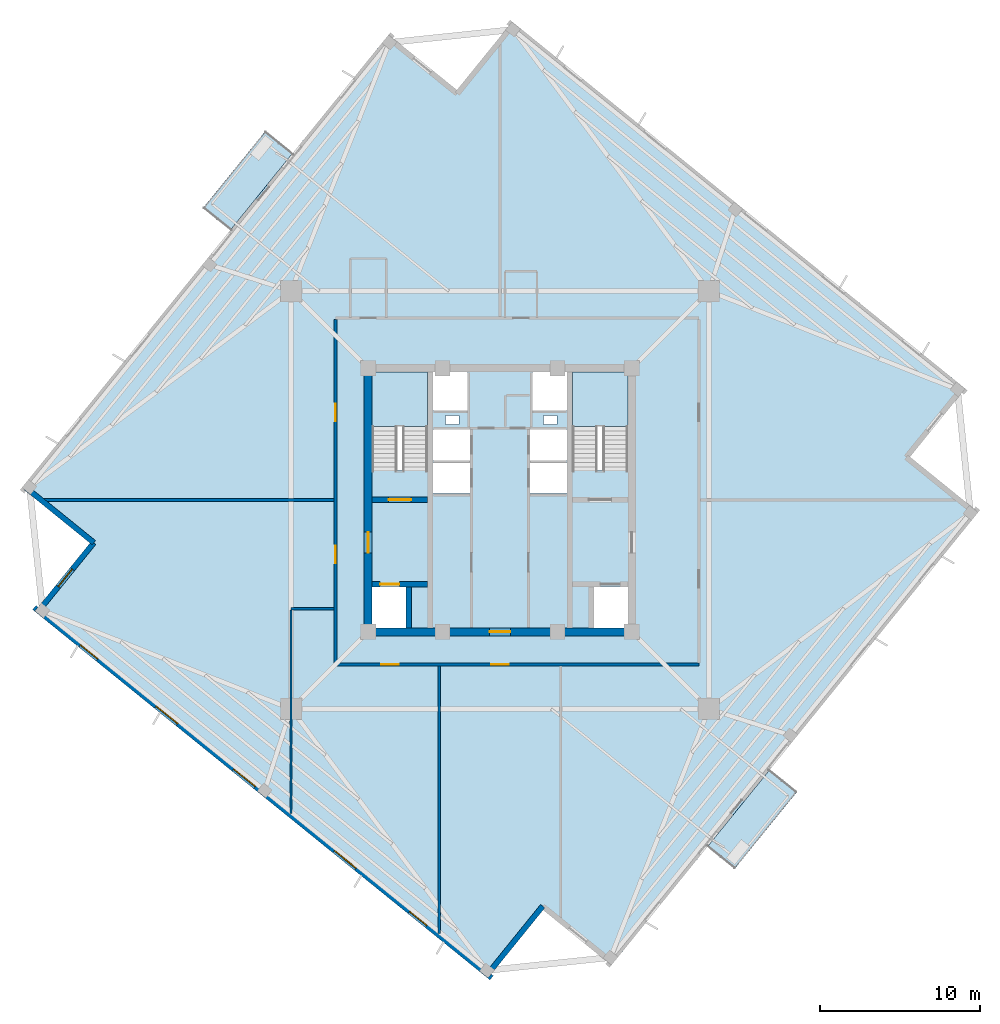
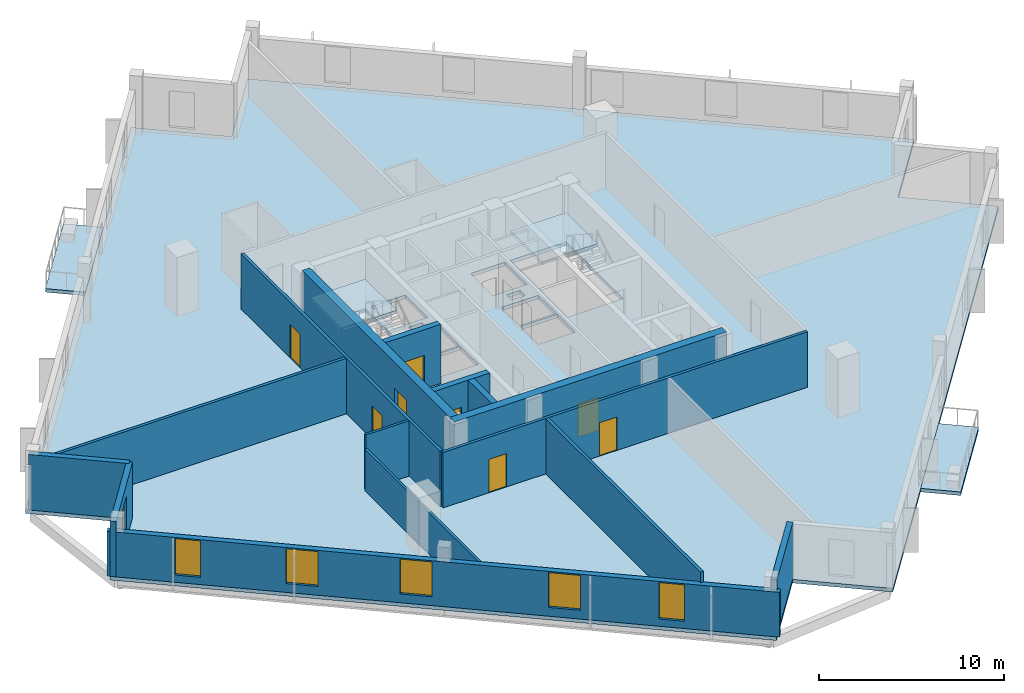
# One storey, part 2 of 9: 15 walls, 8 doors, 6 windows, 5 slabs, 14 openings, 2 elements without a shape of their own.
"""IFC4 building model written with IfcOpenShell, lengths in metres."""

from ifc_helpers import new_model, si_unit, direction, frame, frame_2d, origin, place, context, subcontext, project, spatial, polyline, rectangle, outline, extrude, source, transform, mapped, material, layer, layer_set, type_object, element, fill, aggregate, save


model = new_model("IFC4")

# Units and contexts
model_context = context("Model", 3, precision=1e-05, world=origin(), true_north=direction((0.0, 1.0)))
body_context = subcontext(model_context, "Body", "Model", "MODEL_VIEW")
ifc_project = project(units=[si_unit("LENGTHUNIT", "METRE"), si_unit("AREAUNIT", "SQUARE_METRE"), si_unit("VOLUMEUNIT", "CUBIC_METRE"), si_unit("PLANEANGLEUNIT", "RADIAN"), si_unit("MASSUNIT", "GRAM", prefix="KILO"), si_unit("THERMODYNAMICTEMPERATUREUNIT", "KELVIN")], contexts=[model_context])

# Site, building, storey
site_placement = place(None, origin())
site = spatial("IfcSite", under=ifc_project, at=site_placement, CompositionType="ELEMENT")
building_placement = place(site_placement, origin())
building = spatial("IfcBuilding", under=site, at=building_placement, Name="Kosmvard Interchange Tower", CompositionType="ELEMENT")
storey_placement = place(building_placement, frame((0.0, 0.0, 248.5)))
storey = spatial("IfcBuildingStorey", under=building, at=storey_placement, Name="L60", CompositionType="ELEMENT", Elevation=248.5)

# Slab
ifc_material_1 = material(Name="Concrete C50/60", Category="concrete")
ifc_layer_1 = layer(ifc_material_1, 0.239990234375, Name="Concrete C50/60")
ifc_layer_set_1 = layer_set([ifc_layer_1], Name="Concrete C50/60")
slab_type_1 = type_object("IfcSlabType", Name="High-Rise Suite Composite Slab 240 C50/60", PredefinedType="FLOOR", material=ifc_layer_set_1)
slab_1_placement = place(storey_placement, frame((0.0, 0.0, -0.239990234375)))
element("IfcSlab", 1, at=slab_1_placement, inside=storey, type_object=slab_type_1, Name="L60 Structural Floor Slab", PredefinedType="FLOOR", context=body_context, shape_type="SweptSolid", body=[
    extrude(outline(polyline([(6.97216796875, -29.12939453125), (29.9423828125, -0.763427734375), (25.66796875, 2.69775390625), (29.12939453125, 6.97216796875), (0.763427734375, 29.9423828125), (-2.69775390625, 25.66796875), (-6.97216796875, 29.12939453125), (-29.9423828125, 0.763427734375), (-25.66796875, -2.69775390625), (-29.12939453125, -6.97216796875), (-0.763427734375, -29.9423828125), (2.69775390625, -25.66796875), (6.97216796875, -29.12939453125)]), holes=[polyline([(-8.0, 1.8349609375), (-4.5400390625, 1.8349609375), (-4.5400390625, 8.0), (-8.0, 8.0), (-8.0, 1.8349609375)]), polyline([(4.5400390625, 1.8349609375), (8.0, 1.8349609375), (8.0, 8.0), (4.5400390625, 8.0), (4.5400390625, 1.8349609375)]), polyline([(-8.0, -8.0), (-5.800048828125, -8.0), (-5.800048828125, -5.39990234375), (-8.0, -5.39990234375), (-8.0, -8.0)]), polyline([(5.800048828125, -8.0), (8.0, -8.0), (8.0, -5.39990234375), (5.800048828125, -5.39990234375), (5.800048828125, -8.0)]), polyline([(-4.179931640625, 0.39990234375), (-1.8798828125, 0.39990234375), (-1.8798828125, 2.340087890625), (-4.179931640625, 2.340087890625), (-4.179931640625, 0.39990234375)]), polyline([(-4.179931640625, 2.4599609375), (-1.8798828125, 2.4599609375), (-1.8798828125, 4.39990234375), (-4.179931640625, 4.39990234375), (-4.179931640625, 2.4599609375)]), polyline([(1.8798828125, 0.39990234375), (4.179931640625, 0.39990234375), (4.179931640625, 2.340087890625), (1.8798828125, 2.340087890625), (1.8798828125, 0.39990234375)]), polyline([(1.8798828125, 2.4599609375), (4.179931640625, 2.4599609375), (4.179931640625, 4.39990234375), (1.8798828125, 4.39990234375), (1.8798828125, 2.4599609375)]), polyline([(-4.179931640625, 5.60009765625), (-2.0400390625, 5.60009765625), (-2.0400390625, 8.0), (-4.179931640625, 8.0), (-4.179931640625, 5.60009765625)]), polyline([(2.0400390625, 5.60009765625), (4.179931640625, 5.60009765625), (4.179931640625, 8.0), (2.0400390625, 8.0), (2.0400390625, 5.60009765625)]), polyline([(-3.4150390625, 4.739990234375), (-2.56494140625, 4.739990234375), (-2.56494140625, 5.2900390625), (-3.4150390625, 5.2900390625), (-3.4150390625, 4.739990234375)]), polyline([(2.715087890625, 4.739990234375), (3.56494140625, 4.739990234375), (3.56494140625, 5.2900390625), (2.715087890625, 5.2900390625), (2.715087890625, 4.739990234375)])]), origin(), (0.0, 0.0, 1.0), 0.239990234375),
])

# Stair, slab
stair_type = type_object("IfcStairType", Name="Dog-Leg Core Exit Stair H3900 C50/60", PredefinedType="HALF_TURN_STAIR", material=ifc_material_1)
stair_1_placement = place(storey_placement, origin())
stair_1 = element("IfcStair", 2, at=stair_1_placement, inside=storey, type_object=stair_type, Name="L60 Protected Exit Stair ST-1", PredefinedType="HALF_TURN_STAIR")
ifc_layer_2 = layer(ifc_material_1, 0.199951171875, Name="Concrete C50/60")
ifc_layer_set_2 = layer_set([ifc_layer_2], Name="Concrete C50/60")
slab_type_2 = type_object("IfcSlabType", Name="Stair Half-Landing Slab 200 C50/60", PredefinedType="LANDING", material=ifc_layer_set_2)
slab_2_placement = place(storey_placement, frame((0.0, 0.0, 1.75)))
slab_2 = element("IfcSlab", 3, at=slab_2_placement, type_object=slab_type_2, Name="ST-1 landing 1", PredefinedType="LANDING", context=body_context, shape_type="SweptSolid", body=[
    extrude(outline(polyline([(-4.5400390625, 4.60009765625), (-4.5400390625, 8.0), (-8.0, 8.0), (-8.0, 4.60009765625), (-4.5400390625, 4.60009765625)])), origin(), (0.0, 0.0, 1.0), 0.199951171875),
])
aggregate(stair_1, [slab_2])

stair_2_placement = place(storey_placement, origin())
stair_2 = element("IfcStair", 4, at=stair_2_placement, inside=storey, type_object=stair_type, Name="L60 Protected Exit Stair ST-2", PredefinedType="HALF_TURN_STAIR")
slab_3_placement = place(storey_placement, frame((0.0, 0.0, 1.75)))
slab_3 = element("IfcSlab", 5, at=slab_3_placement, type_object=slab_type_2, Name="ST-2 landing 1", PredefinedType="LANDING", context=body_context, shape_type="SweptSolid", body=[
    extrude(outline(polyline([(8.0, 4.60009765625), (8.0, 8.0), (4.5400390625, 8.0), (4.5400390625, 4.60009765625), (8.0, 4.60009765625)])), origin(), (0.0, 0.0, 1.0), 0.199951171875),
])
aggregate(stair_2, [slab_3])

# Slabs
ifc_layer_3 = layer(ifc_material_1, 0.22998046875, Name="Concrete C50/60")
ifc_layer_set_3 = layer_set([ifc_layer_3], Name="Concrete C50/60")
slab_type_3 = type_object("IfcSlabType", Name="Tree-Planter Cantilever Balcony Slab 230 C50/60", PredefinedType="FLOOR", material=ifc_layer_set_3)
slab_4_placement = place(storey_placement, frame((0.0, 0.0, -0.22998046875)))
element("IfcSlab", 6, at=slab_4_placement, inside=storey, type_object=slab_type_3, Name="L60 Outdoor Terrace Balcony Slab BAL-L60-N", PredefinedType="FLOOR", context=body_context, shape_type="SweptSolid", body=[
    extrude(outline(polyline([(-16.884033203125, 16.88916015625), (-12.982177734375, 21.70751953125), (-14.69189453125, 23.092041015625), (-18.59375, 18.273681640625), (-16.884033203125, 16.88916015625)])), origin(), (0.0, 0.0, 1.0), 0.22998046875),
])
slab_5_placement = place(storey_placement, frame((0.0, 0.0, -0.22998046875)))
element("IfcSlab", 7, at=slab_5_placement, inside=storey, type_object=slab_type_3, Name="L60 Outdoor Terrace Balcony Slab BAL-L60-S", PredefinedType="FLOOR", context=body_context, shape_type="SweptSolid", body=[
    extrude(outline(polyline([(14.69189453125, -23.092041015625), (18.59375, -18.273681640625), (16.884033203125, -16.88916015625), (12.982177734375, -21.70751953125), (14.69189453125, -23.092041015625)])), origin(), (0.0, 0.0, 1.0), 0.22998046875),
])

# Walls
ifc_material_2 = material(Name="Acoustic gypsum partition system")
ifc_layer_4 = layer(ifc_material_2, 0.14990234375, Name="Acoustic gypsum partition system")
ifc_layer_set_4 = layer_set([ifc_layer_4], Name="Acoustic gypsum partition system")
wall_type_1 = type_object("IfcWallType", Name="Acoustic Suite & Meeting Partition 150", PredefinedType="PARTITIONING", material=ifc_layer_set_4)
wall_1_placement = place(storey_placement, frame((-10.39501953125, -6.800048828125, 0.0), z_axis=(0.0, 0.0, 1.0), x_axis=(-1.0, 0.0, 0.0)))
element("IfcWall", 8, at=wall_1_placement, inside=storey, type_object=wall_type_1, Name="L60 Room Partition 06.1", PredefinedType="PARTITIONING", context=body_context, shape_type="SweptSolid", body=[
    extrude(rectangle(XDim=2.68603515625, YDim=0.14990234375, at=frame_2d((1.343017578125, 0.0))), origin(), (0.0, 0.0, 1.0), 3.659912109375),
])
wall_2_placement = place(storey_placement, frame((-13.0810546875, -6.875, 0.0), z_axis=(0.0, 0.0, 1.0), x_axis=(0.0, -1.0, 0.0)))
element("IfcWall", 9, at=wall_2_placement, inside=storey, type_object=wall_type_1, Name="L60 Room Partition 07.1", PredefinedType="PARTITIONING", context=body_context, shape_type="SweptSolid", body=[
    extrude(rectangle(XDim=12.739013671875, YDim=0.14990234375, at=frame_2d((6.36962890625, 0.0))), origin(), (0.0, 0.0, 1.0), 2.760009765625),
])

# Wall, openings, doors
ifc_material_3 = material(Name="Fire-rated gypsum partition system")
ifc_layer_5 = layer(ifc_material_3, 0.179931640625, Name="Fire-rated gypsum partition system")
ifc_layer_set_5 = layer_set([ifc_layer_5], Name="Fire-rated gypsum partition system")
wall_type_2 = type_object("IfcWallType", Name="Corridor & Hotel Compartment Partition 180", PredefinedType="PARTITIONING", material=ifc_layer_set_5)
wall_3_placement = place(storey_placement, frame((-10.300048828125, -10.300048828125, 0.0), z_axis=(0.0, 0.0, 1.0), x_axis=(1.0, 0.0, 0.0)))
wall_3 = element("IfcWall", 10, at=wall_3_placement, inside=storey, type_object=wall_type_2, Name="L60 Corridor Wall CS", PredefinedType="PARTITIONING", context=body_context, shape_type="SweptSolid", body=[
    extrude(rectangle(XDim=22.75, YDim=0.179931640625, at=frame_2d((11.375, 0.0))), origin(), (0.0, 0.0, 1.0), 3.659912109375),
])
opening_1_placement = place(wall_3_placement, frame((9.75, 0.0, 0.0)))
opening_1 = element("IfcOpeningElement", 11, at=opening_1_placement, cuts=wall_3, Name="Opening L60-D06", PredefinedType="OPENING", context=body_context, shape_type="SweptSolid", body=[
    extrude(rectangle(XDim=1.10009765625, YDim=2.199951171875, at=frame_2d((0.550048828125, 1.10009765625))), frame((0.0, 0.10009765625, 0.0), z_axis=(0.0, -1.0, 0.0), x_axis=(1.0, 0.0, 0.0)), (0.0, 0.0, 1.0), 0.199951171875),
])
opening_2_placement = place(wall_3_placement, frame((2.864501953125, 0.0, 0.0)))
opening_2 = element("IfcOpeningElement", 12, at=opening_2_placement, cuts=wall_3, Name="Opening L60-D07", PredefinedType="OPENING", context=body_context, shape_type="SweptSolid", body=[
    extrude(rectangle(XDim=1.10009765625, YDim=2.199951171875, at=frame_2d((0.550048828125, 1.10009765625))), frame((0.0, 0.10009765625, 0.0), z_axis=(0.0, -1.0, 0.0), x_axis=(1.0, 0.0, 0.0)), (0.0, 0.0, 1.0), 0.199951171875),
])
ifc_material_4 = material(Name="Engineered oak fire-rated timber", Category="wood")
door_type_1 = type_object("IfcDoorType", Name="Office Suite Entrance Door 1100x2200 FD30S", OperationType="NOTDEFINED", PredefinedType="DOOR", material=ifc_material_4)
shared_shape_1 = source(origin(), body_context, "Body", "SweptSolid", [
    extrude(rectangle(XDim=1.10009765625, YDim=2.199951171875, at=frame_2d((0.550048828125, 1.10009765625))), frame((0.0, 0.02490234375, 0.0), z_axis=(0.0, -1.0, 0.0), x_axis=(1.0, 0.0, 0.0)), (0.0, 0.0, 1.0), 0.050048828125),
])
door_1_placement = place(opening_1_placement, frame((1.10009765625, 0.0, 0.0), z_axis=(0.0, 0.0, 1.0), x_axis=(-1.0, 0.0, 0.0)))
door_1 = element("IfcDoor", 13, at=door_1_placement, inside=storey, type_object=door_type_1, Name="L60 South-West Principal Office Door", OperationType="SINGLE_SWING_RIGHT", OverallHeight=2.199951171875, OverallWidth=1.10009765625, PredefinedType="DOOR", context=body_context, shape_type="MappedRepresentation", body=[
    mapped(shared_shape_1, transform((0.0, 0.0, 0.0), scale=1.0)),
])
fill(opening_1, door_1)
door_2_placement = place(opening_2_placement, frame((1.10009765625, 0.0, 0.0), z_axis=(0.0, 0.0, 1.0), x_axis=(-1.0, 0.0, 0.0)))
door_2 = element("IfcDoor", 14, at=door_2_placement, inside=storey, type_object=door_type_1, Name="L60 Atelier Catering Pantry Door", OperationType="SINGLE_SWING_LEFT", OverallHeight=2.199951171875, OverallWidth=1.10009765625, PredefinedType="DOOR", context=body_context, shape_type="MappedRepresentation", body=[
    mapped(shared_shape_1, transform((0.0, 0.0, 0.0), scale=1.0)),
])
fill(opening_2, door_2)

wall_4_placement = place(storey_placement, frame((-10.300048828125, -10.199951171875, 0.0), z_axis=(0.0, 0.0, 1.0), x_axis=(0.0, 1.0, 0.0)))
wall_4 = element("IfcWall", 15, at=wall_4_placement, inside=storey, type_object=wall_type_2, Name="L60 Corridor Wall CW", PredefinedType="PARTITIONING", context=body_context, shape_type="SweptSolid", body=[
    extrude(rectangle(XDim=21.5, YDim=0.179931640625, at=frame_2d((10.75, 0.0))), origin(), (0.0, 0.0, 1.0), 3.659912109375),
])
opening_3_placement = place(wall_4_placement, frame((15.135498046875, 0.0, 0.0)))
opening_3 = element("IfcOpeningElement", 16, at=opening_3_placement, cuts=wall_4, Name="Opening L60-D03", PredefinedType="OPENING", context=body_context, shape_type="SweptSolid", body=[
    extrude(rectangle(XDim=1.10009765625, YDim=2.199951171875, at=frame_2d((0.550048828125, 1.10009765625))), frame((0.0, 0.10009765625, 0.0), z_axis=(0.0, -1.0, 0.0), x_axis=(1.0, 0.0, 0.0)), (0.0, 0.0, 1.0), 0.199951171875),
])
opening_4_placement = place(wall_4_placement, frame((6.25, 0.0, 0.0)))
opening_4 = element("IfcOpeningElement", 17, at=opening_4_placement, cuts=wall_4, Name="Opening L60-D08", PredefinedType="OPENING", context=body_context, shape_type="SweptSolid", body=[
    extrude(rectangle(XDim=1.10009765625, YDim=2.199951171875, at=frame_2d((0.550048828125, 1.10009765625))), frame((0.0, 0.10009765625, 0.0), z_axis=(0.0, -1.0, 0.0), x_axis=(1.0, 0.0, 0.0)), (0.0, 0.0, 1.0), 0.199951171875),
])
door_3_placement = place(opening_3_placement, origin())
door_3 = element("IfcDoor", 18, at=door_3_placement, inside=storey, type_object=door_type_1, Name="L60 North-East Sky Atelier Workplace Door", OperationType="SINGLE_SWING_LEFT", OverallHeight=2.199951171875, OverallWidth=1.10009765625, PredefinedType="DOOR", context=body_context, shape_type="MappedRepresentation", body=[
    mapped(shared_shape_1, transform((0.0, 0.0, 0.0), scale=1.0)),
])
fill(opening_3, door_3)
door_4_placement = place(opening_4_placement, origin())
door_4 = element("IfcDoor", 19, at=door_4_placement, inside=storey, type_object=door_type_1, Name="L60 North-West Sky Atelier Workplace Door", OperationType="SINGLE_SWING_RIGHT", OverallHeight=2.199951171875, OverallWidth=1.10009765625, PredefinedType="DOOR", context=body_context, shape_type="MappedRepresentation", body=[
    mapped(shared_shape_1, transform((0.0, 0.0, 0.0), scale=1.0)),
])
fill(opening_4, door_4)

# Walls
wall_5_placement = place(storey_placement, frame((-3.800048828125, -10.39501953125, 0.0), z_axis=(0.0, 0.0, 1.0), x_axis=(0.0, -1.0, 0.0)))
element("IfcWall", 20, at=wall_5_placement, inside=storey, type_object=wall_type_2, Name="L60 Room Partition 04.1", PredefinedType="PARTITIONING", context=body_context, shape_type="SweptSolid", body=[
    extrude(rectangle(XDim=16.734375, YDim=0.179931640625, at=frame_2d((8.3671875, 0.0))), origin(), (0.0, 0.0, 1.0), 3.659912109375),
])
wall_6_placement = place(storey_placement, frame((-10.39501953125, 0.0, 0.0), z_axis=(0.0, 0.0, 1.0), x_axis=(-1.0, 0.0, 0.0)))
element("IfcWall", 21, at=wall_6_placement, inside=storey, type_object=wall_type_2, Name="L60 Room Partition 05.1", PredefinedType="PARTITIONING", context=body_context, shape_type="SweptSolid", body=[
    extrude(rectangle(XDim=18.16748046875, YDim=0.179931640625, at=frame_2d((9.083740234375, 0.0))), origin(), (0.0, 0.0, 1.0), 3.659912109375),
])
ifc_material_5 = material(Name="Precast concrete C45/55", Category="concrete")
ifc_layer_6 = layer(ifc_material_5, 0.340087890625, Name="Precast concrete C45/55")
ifc_layer_set_6 = layer_set([ifc_layer_6], Name="Precast concrete C45/55")
wall_type_3 = type_object("IfcWallType", Name="Mid Tower Precast Pier Wall 340 C45/55", PredefinedType="STANDARD", material=ifc_layer_set_6)
wall_7_placement = place(storey_placement, frame((-29.703125, 0.78857421875, 0.0), z_axis=(0.0, 0.0, 1.0), x_axis=(0.77714355312, -0.629323365087, 0.0)))
element("IfcWall", 22, at=wall_7_placement, inside=storey, type_object=wall_type_3, Name="L60 Precast Facade Wall N-NW1", PredefinedType="STANDARD", context=body_context, shape_type="SweptSolid", body=[
    extrude(rectangle(XDim=5.499755859375, YDim=0.340087890625, at=frame_2d((2.75, 0.0))), origin(), (0.0, 0.0, 1.0), 3.659912109375),
])

# Wall, opening, window
wall_8_placement = place(storey_placement, frame((-25.428955078125, -2.672607421875, 0.0), z_axis=(0.0, 0.0, 1.0), x_axis=(-0.629299794138, -0.777162640055, 0.0)))
wall_8 = element("IfcWall", 23, at=wall_8_placement, inside=storey, type_object=wall_type_3, Name="L60 Precast Facade Wall N-NW2", PredefinedType="STANDARD", context=body_context, shape_type="SweptSolid", body=[
    extrude(rectangle(XDim=5.669921875, YDim=0.340087890625, at=frame_2d((2.8349609375, 0.0))), origin(), (0.0, 0.0, 1.0), 3.659912109375),
])
opening_5_placement = place(wall_8_placement, frame((2.135009765625, 0.0, 0.47998046875)))
opening_5 = element("IfcOpeningElement", 24, at=opening_5_placement, cuts=wall_8, Name="Opening L60-W23", PredefinedType="OPENING", context=body_context, shape_type="SweptSolid", body=[
    extrude(rectangle(XDim=1.39990234375, YDim=2.39990234375, at=frame_2d((0.699951171875, 1.199951171875))), frame((0.0, 0.18017578125, 0.0), z_axis=(0.0, -1.0, 0.0), x_axis=(1.0, 0.0, 0.0)), (0.0, 0.0, 1.0), 0.360107421875),
])
ifc_material_6 = material(Name="Low-E solar-control double glazing", Category="glass")
window_type_1 = type_object("IfcWindowType", Name="Notched Corner Feature Window 1400x2400", PartitioningType="SINGLE_PANEL", PredefinedType="WINDOW", material=ifc_material_6)
shared_shape_2 = source(origin(), body_context, "Body", "SweptSolid", [
    extrude(rectangle(XDim=1.39990234375, YDim=2.39990234375, at=frame_2d((0.699951171875, 1.199951171875))), frame((0.0, 0.030029296875, 0.0), z_axis=(0.0, -1.0, 0.0), x_axis=(1.0, 0.0, 0.0)), (0.0, 0.0, 1.0), 0.06005859375),
])
window_1_placement = place(opening_5_placement, origin())
window_1 = element("IfcWindow", 25, at=window_1_placement, inside=storey, type_object=window_type_1, Name="L60 Corner Notch Window 23", OverallHeight=2.39990234375, OverallWidth=1.39990234375, PartitioningType="SINGLE_PANEL", PredefinedType="WINDOW", context=body_context, shape_type="MappedRepresentation", body=[
    mapped(shared_shape_2, transform((0.0, 0.0, 0.0), scale=1.0)),
])
fill(opening_5, window_1)

# Wall, openings, windows
wall_9_placement = place(storey_placement, frame((-29.154296875, -6.73291015625, 0.0), z_axis=(0.0, 0.0, 1.0), x_axis=(0.77714192302, -0.629325378072, 0.0)))
wall_9 = element("IfcWall", 26, at=wall_9_placement, inside=storey, type_object=wall_type_3, Name="L60 Precast Facade Wall F-W", PredefinedType="STANDARD", context=body_context, shape_type="SweptSolid", body=[
    extrude(rectangle(XDim=36.840087890625, YDim=0.340087890625, at=frame_2d((18.419921875, 0.0))), origin(), (0.0, 0.0, 1.0), 2.9599609375),
])
opening_6_placement = place(wall_9_placement, frame((3.720703125, 0.0, 0.47998046875)))
opening_6 = element("IfcOpeningElement", 27, at=opening_6_placement, cuts=wall_9, Name="Opening L60-W16", PredefinedType="OPENING", context=body_context, shape_type="SweptSolid", body=[
    extrude(rectangle(XDim=1.39990234375, YDim=2.39990234375, at=frame_2d((0.699951171875, 1.199951171875))), frame((0.0, 0.18017578125, 0.0), z_axis=(0.0, -1.0, 0.0), x_axis=(1.0, 0.0, 0.0)), (0.0, 0.0, 1.0), 0.360107421875),
])
opening_7_placement = place(wall_9_placement, frame((9.80859375, 0.0, 0.580078125)))
opening_7 = element("IfcOpeningElement", 28, at=opening_7_placement, cuts=wall_9, Name="Opening L60-W17", PredefinedType="OPENING", context=body_context, shape_type="SweptSolid", body=[
    extrude(rectangle(XDim=1.75, YDim=2.300048828125, at=frame_2d((0.875, 1.14990234375))), frame((0.0, 0.18017578125, 0.0), z_axis=(0.0, -1.0, 0.0), x_axis=(1.0, 0.0, 0.0)), (0.0, 0.0, 1.0), 0.360107421875),
])
opening_8_placement = place(wall_9_placement, frame((16.05810546875, 0.0, 0.580078125)))
opening_8 = element("IfcOpeningElement", 29, at=opening_8_placement, cuts=wall_9, Name="Opening L60-W18", PredefinedType="OPENING", context=body_context, shape_type="SweptSolid", body=[
    extrude(rectangle(XDim=1.75, YDim=2.300048828125, at=frame_2d((0.875, 1.14990234375))), frame((0.0, 0.18017578125, 0.0), z_axis=(0.0, -1.0, 0.0), x_axis=(1.0, 0.0, 0.0)), (0.0, 0.0, 1.0), 0.360107421875),
])
opening_9_placement = place(wall_9_placement, frame((24.17626953125, 0.0, 0.580078125)))
opening_9 = element("IfcOpeningElement", 30, at=opening_9_placement, cuts=wall_9, Name="Opening L60-W19", PredefinedType="OPENING", context=body_context, shape_type="SweptSolid", body=[
    extrude(rectangle(XDim=1.75, YDim=2.300048828125, at=frame_2d((0.875, 1.14990234375))), frame((0.0, 0.18017578125, 0.0), z_axis=(0.0, -1.0, 0.0), x_axis=(1.0, 0.0, 0.0)), (0.0, 0.0, 1.0), 0.360107421875),
])
opening_10_placement = place(wall_9_placement, frame((30.232421875, 0.0, 0.47998046875)))
opening_10 = element("IfcOpeningElement", 31, at=opening_10_placement, cuts=wall_9, Name="Opening L60-W20", PredefinedType="OPENING", context=body_context, shape_type="SweptSolid", body=[
    extrude(rectangle(XDim=1.39990234375, YDim=2.39990234375, at=frame_2d((0.699951171875, 1.199951171875))), frame((0.0, 0.18017578125, 0.0), z_axis=(0.0, -1.0, 0.0), x_axis=(1.0, 0.0, 0.0)), (0.0, 0.0, 1.0), 0.360107421875),
])
window_2_placement = place(opening_6_placement, origin())
window_2 = element("IfcWindow", 32, at=window_2_placement, inside=storey, type_object=window_type_1, Name="L60 Facade Punched Window 16", OverallHeight=2.39990234375, OverallWidth=1.39990234375, PartitioningType="SINGLE_PANEL", PredefinedType="WINDOW", context=body_context, shape_type="MappedRepresentation", body=[
    mapped(shared_shape_2, transform((0.0, 0.0, 0.0), scale=1.0)),
])
fill(opening_6, window_2)
window_3_placement = place(opening_10_placement, origin())
window_3 = element("IfcWindow", 33, at=window_3_placement, inside=storey, type_object=window_type_1, Name="L60 Facade Punched Window 20", OverallHeight=2.39990234375, OverallWidth=1.39990234375, PartitioningType="SINGLE_PANEL", PredefinedType="WINDOW", context=body_context, shape_type="MappedRepresentation", body=[
    mapped(shared_shape_2, transform((0.0, 0.0, 0.0), scale=1.0)),
])
fill(opening_10, window_3)
window_type_2 = type_object("IfcWindowType", Name="Zone 4 Suite Punched Window 1750x2300", PartitioningType="SINGLE_PANEL", PredefinedType="WINDOW", material=ifc_material_6)
shared_shape_3 = source(origin(), body_context, "Body", "SweptSolid", [
    extrude(rectangle(XDim=1.75, YDim=2.300048828125, at=frame_2d((0.875, 1.14990234375))), frame((0.0, 0.030029296875, 0.0), z_axis=(0.0, -1.0, 0.0), x_axis=(1.0, 0.0, 0.0)), (0.0, 0.0, 1.0), 0.06005859375),
])
window_4_placement = place(opening_7_placement, origin())
window_4 = element("IfcWindow", 34, at=window_4_placement, inside=storey, type_object=window_type_2, Name="L60 Facade Punched Window 17", OverallHeight=2.300048828125, OverallWidth=1.75, PartitioningType="SINGLE_PANEL", PredefinedType="WINDOW", context=body_context, shape_type="MappedRepresentation", body=[
    mapped(shared_shape_3, transform((0.0, 0.0, 0.0), scale=1.0)),
])
fill(opening_7, window_4)
window_5_placement = place(opening_8_placement, origin())
window_5 = element("IfcWindow", 35, at=window_5_placement, inside=storey, type_object=window_type_2, Name="L60 Facade Punched Window 18", OverallHeight=2.300048828125, OverallWidth=1.75, PartitioningType="SINGLE_PANEL", PredefinedType="WINDOW", context=body_context, shape_type="MappedRepresentation", body=[
    mapped(shared_shape_3, transform((0.0, 0.0, 0.0), scale=1.0)),
])
fill(opening_8, window_5)
window_6_placement = place(opening_9_placement, origin())
window_6 = element("IfcWindow", 36, at=window_6_placement, inside=storey, type_object=window_type_2, Name="L60 Facade Punched Window 19", OverallHeight=2.300048828125, OverallWidth=1.75, PartitioningType="SINGLE_PANEL", PredefinedType="WINDOW", context=body_context, shape_type="MappedRepresentation", body=[
    mapped(shared_shape_3, transform((0.0, 0.0, 0.0), scale=1.0)),
])
fill(opening_9, window_6)

# Wall
wall_10_placement = place(storey_placement, frame((-0.78857421875, -29.703125, 0.0), z_axis=(0.0, 0.0, 1.0), x_axis=(0.629323365087, 0.77714355312, 0.0)))
element("IfcWall", 37, at=wall_10_placement, inside=storey, type_object=wall_type_3, Name="L60 Precast Facade Wall N-SW1", PredefinedType="STANDARD", context=body_context, shape_type="SweptSolid", body=[
    extrude(rectangle(XDim=5.499755859375, YDim=0.340087890625, at=frame_2d((2.75, 0.0))), origin(), (0.0, 0.0, 1.0), 3.659912109375),
])

# Wall, opening, door
ifc_material_7 = material(Name="Concrete C60/75", Category="concrete")
ifc_layer_7 = layer(ifc_material_7, 0.360107421875, Name="Concrete C60/75")
ifc_layer_set_7 = layer_set([ifc_layer_7], Name="Concrete C60/75")
wall_type_4 = type_object("IfcWallType", Name="Stair & Lift Shaft Shear Wall 360 C60/75", PredefinedType="SHEAR", material=ifc_layer_set_7)
wall_11_placement = place(storey_placement, frame((-8.0, 0.02001953125, 0.0), z_axis=(0.0, 0.0, 1.0), x_axis=(1.0, 0.0, 0.0)))
wall_11 = element("IfcWall", 38, at=wall_11_placement, inside=storey, type_object=wall_type_4, Name="L60 Shaft Shear Wall SW-ST1", PredefinedType="SHEAR", context=body_context, shape_type="SweptSolid", body=[
    extrude(rectangle(XDim=3.4599609375, YDim=0.360107421875, at=frame_2d((1.72998046875, 0.0))), origin(), (0.0, 0.0, 1.0), 3.89990234375),
])
opening_11_placement = place(wall_11_placement, frame((1.030029296875, 0.0, 0.0)))
opening_11 = element("IfcOpeningElement", 39, at=opening_11_placement, cuts=wall_11, Name="Opening L60-SD1", PredefinedType="OPENING", context=body_context, shape_type="SweptSolid", body=[
    extrude(rectangle(XDim=1.39990234375, YDim=2.199951171875, at=frame_2d((0.699951171875, 1.10009765625))), frame((0.0, 0.18994140625, 0.0), z_axis=(0.0, -1.0, 0.0), x_axis=(1.0, 0.0, 0.0)), (0.0, 0.0, 1.0), 0.380126953125),
])
ifc_material_8 = material(Name="Painted fire-rated steel leaf", Category="steel")
door_type_2 = type_object("IfcDoorType", Name="Protected Stair Door 1400x2200 FD60S", OperationType="NOTDEFINED", PredefinedType="DOOR", material=ifc_material_8)
shared_shape_4 = source(origin(), body_context, "Body", "SweptSolid", [
    extrude(rectangle(XDim=1.39990234375, YDim=2.199951171875, at=frame_2d((0.699951171875, 1.10009765625))), frame((0.0, 0.02490234375, 0.0), z_axis=(0.0, -1.0, 0.0), x_axis=(1.0, 0.0, 0.0)), (0.0, 0.0, 1.0), 0.050048828125),
])
door_5_placement = place(opening_11_placement, origin())
door_5 = element("IfcDoor", 40, at=door_5_placement, inside=storey, type_object=door_type_2, Name="L60 Stair ST-1 Enclosure Door", OperationType="SINGLE_SWING_LEFT", OverallHeight=2.199951171875, OverallWidth=1.39990234375, PredefinedType="DOOR", context=body_context, shape_type="MappedRepresentation", body=[
    mapped(shared_shape_4, transform((0.0, 0.0, 0.0), scale=1.0)),
])
fill(opening_11, door_5)

wall_12_placement = place(storey_placement, frame((-8.0, -5.280029296875, 0.0), z_axis=(0.0, 0.0, 1.0), x_axis=(1.0, 0.0, 0.0)))
wall_12 = element("IfcWall", 41, at=wall_12_placement, inside=storey, type_object=wall_type_4, Name="L60 Shaft Shear Wall SW-FF1", PredefinedType="SHEAR", context=body_context, shape_type="SweptSolid", body=[
    extrude(rectangle(XDim=3.4599609375, YDim=0.360107421875, at=frame_2d((1.72998046875, 0.0))), origin(), (0.0, 0.0, 1.0), 3.89990234375),
])
opening_12_placement = place(wall_12_placement, frame((0.5, 0.0, 0.0)))
opening_12 = element("IfcOpeningElement", 42, at=opening_12_placement, cuts=wall_12, Name="Opening LD-FF-1-L60", PredefinedType="OPENING", context=body_context, shape_type="SweptSolid", body=[
    extrude(rectangle(XDim=1.199951171875, YDim=2.25, at=frame_2d((0.60009765625, 1.125))), frame((0.0, 0.18994140625, 0.0), z_axis=(0.0, -1.0, 0.0), x_axis=(1.0, 0.0, 0.0)), (0.0, 0.0, 1.0), 0.380126953125),
])
ifc_material_9 = material(Name="Brushed stainless steel sliding leaf", Category="steel")
door_type_3 = type_object("IfcDoorType", Name="Firefighting Lift Sliding Landing Door 1200x2250 EI120", OperationType="DOUBLE_DOOR_SLIDING", PredefinedType="DOOR", material=ifc_material_9)
shared_shape_5 = source(origin(), body_context, "Body", "SweptSolid", [
    extrude(rectangle(XDim=1.199951171875, YDim=2.25, at=frame_2d((0.60009765625, 1.125))), frame((0.0, 0.02490234375, 0.0), z_axis=(0.0, -1.0, 0.0), x_axis=(1.0, 0.0, 0.0)), (0.0, 0.0, 1.0), 0.050048828125),
])
door_6_placement = place(opening_12_placement, origin())
door_6 = element("IfcDoor", 43, at=door_6_placement, inside=storey, type_object=door_type_3, Name="Lift FF-1 Landing Door L60", OperationType="DOUBLE_DOOR_SLIDING", OverallHeight=2.25, OverallWidth=1.199951171875, PredefinedType="DOOR", context=body_context, shape_type="MappedRepresentation", body=[
    mapped(shared_shape_5, transform((0.0, 0.0, 0.0), scale=1.0)),
])
fill(opening_12, door_6)

# Wall
wall_13_placement = place(storey_placement, frame((-5.7099609375, -8.0, 0.0), z_axis=(0.0, 0.0, 1.0), x_axis=(0.0, 1.0, 0.0)))
element("IfcWall", 44, at=wall_13_placement, inside=storey, type_object=wall_type_4, Name="L60 Shaft Shear Wall SW-SM1", PredefinedType="SHEAR", context=body_context, shape_type="SweptSolid", body=[
    extrude(rectangle(XDim=2.5400390625, YDim=0.360107421875, at=frame_2d((1.27001953125, 0.0))), origin(), (0.0, 0.0, 1.0), 3.89990234375),
])

# Wall, opening, door
ifc_layer_8 = layer(ifc_material_7, 0.5, Name="Concrete C60/75")
ifc_layer_set_8 = layer_set([ifc_layer_8], Name="Concrete C60/75")
wall_type_5 = type_object("IfcWallType", Name="Upper Core Shear Wall 500 C60/75", PredefinedType="SHEAR", material=ifc_layer_set_8)
wall_14_placement = place(storey_placement, frame((-8.5, -8.25, 0.0), z_axis=(0.0, 0.0, 1.0), x_axis=(1.0, 0.0, 0.0)))
wall_14 = element("IfcWall", 45, at=wall_14_placement, inside=storey, type_object=wall_type_5, Name="L60 Core Shear Wall CW-S", PredefinedType="SHEAR", context=body_context, shape_type="SweptSolid", body=[
    extrude(rectangle(XDim=17.0, YDim=0.5, at=frame_2d((8.5, 0.0))), origin(), (0.0, 0.0, 1.0), 3.89990234375),
])
opening_13_placement = place(wall_14_placement, frame((7.85009765625, 0.0, 0.0)))
opening_13 = element("IfcOpeningElement", 46, at=opening_13_placement, cuts=wall_14, Name="Opening L60-LD0", PredefinedType="OPENING", context=body_context, shape_type="SweptSolid", body=[
    extrude(rectangle(XDim=1.300048828125, YDim=2.199951171875, at=frame_2d((0.64990234375, 1.10009765625))), frame((0.0, 0.260009765625, 0.0), z_axis=(0.0, -1.0, 0.0), x_axis=(1.0, 0.0, 0.0)), (0.0, 0.0, 1.0), 0.52001953125),
])
door_type_4 = type_object("IfcDoorType", Name="Firefighting Lobby Door 1300x2200 EI60", OperationType="NOTDEFINED", PredefinedType="DOOR", material=ifc_material_8)
shared_shape_6 = source(origin(), body_context, "Body", "SweptSolid", [
    extrude(rectangle(XDim=1.300048828125, YDim=2.199951171875, at=frame_2d((0.64990234375, 1.10009765625))), frame((0.0, 0.02490234375, 0.0), z_axis=(0.0, -1.0, 0.0), x_axis=(1.0, 0.0, 0.0)), (0.0, 0.0, 1.0), 0.050048828125),
])
door_7_placement = place(opening_13_placement, frame((1.300048828125, 0.0, 0.0), z_axis=(0.0, 0.0, 1.0), x_axis=(-1.0, 0.0, 0.0)))
door_7 = element("IfcDoor", 47, at=door_7_placement, inside=storey, type_object=door_type_4, Name="L60 Passenger Lift Lobby South Door", OperationType="SINGLE_SWING_RIGHT", OverallHeight=2.199951171875, OverallWidth=1.300048828125, PredefinedType="DOOR", context=body_context, shape_type="MappedRepresentation", body=[
    mapped(shared_shape_6, transform((0.0, 0.0, 0.0), scale=1.0)),
])
fill(opening_13, door_7)

wall_15_placement = place(storey_placement, frame((-8.25, -8.0, 0.0), z_axis=(0.0, 0.0, 1.0), x_axis=(0.0, 1.0, 0.0)))
wall_15 = element("IfcWall", 48, at=wall_15_placement, inside=storey, type_object=wall_type_5, Name="L60 Core Shear Wall CW-W", PredefinedType="SHEAR", context=body_context, shape_type="SweptSolid", body=[
    extrude(rectangle(XDim=16.0, YDim=0.5, at=frame_2d((8.0, 0.0))), origin(), (0.0, 0.0, 1.0), 3.89990234375),
])
opening_14_placement = place(wall_15_placement, frame((4.68994140625, 0.0, 0.0)))
opening_14 = element("IfcOpeningElement", 49, at=opening_14_placement, cuts=wall_15, Name="Opening L60-FD1", PredefinedType="OPENING", context=body_context, shape_type="SweptSolid", body=[
    extrude(rectangle(XDim=1.300048828125, YDim=2.199951171875, at=frame_2d((0.64990234375, 1.10009765625))), frame((0.0, 0.260009765625, 0.0), z_axis=(0.0, -1.0, 0.0), x_axis=(1.0, 0.0, 0.0)), (0.0, 0.0, 1.0), 0.52001953125),
])
door_8_placement = place(opening_14_placement, frame((1.300048828125, 0.0, 0.0), z_axis=(0.0, 0.0, 1.0), x_axis=(-1.0, 0.0, 0.0)))
door_8 = element("IfcDoor", 50, at=door_8_placement, inside=storey, type_object=door_type_4, Name="L60 Firefighting Lobby West Door", OperationType="SINGLE_SWING_LEFT", OverallHeight=2.199951171875, OverallWidth=1.300048828125, PredefinedType="DOOR", context=body_context, shape_type="MappedRepresentation", body=[
    mapped(shared_shape_6, transform((0.0, 0.0, 0.0), scale=1.0)),
])
fill(opening_14, door_8)

save(model, "model.ifc")
